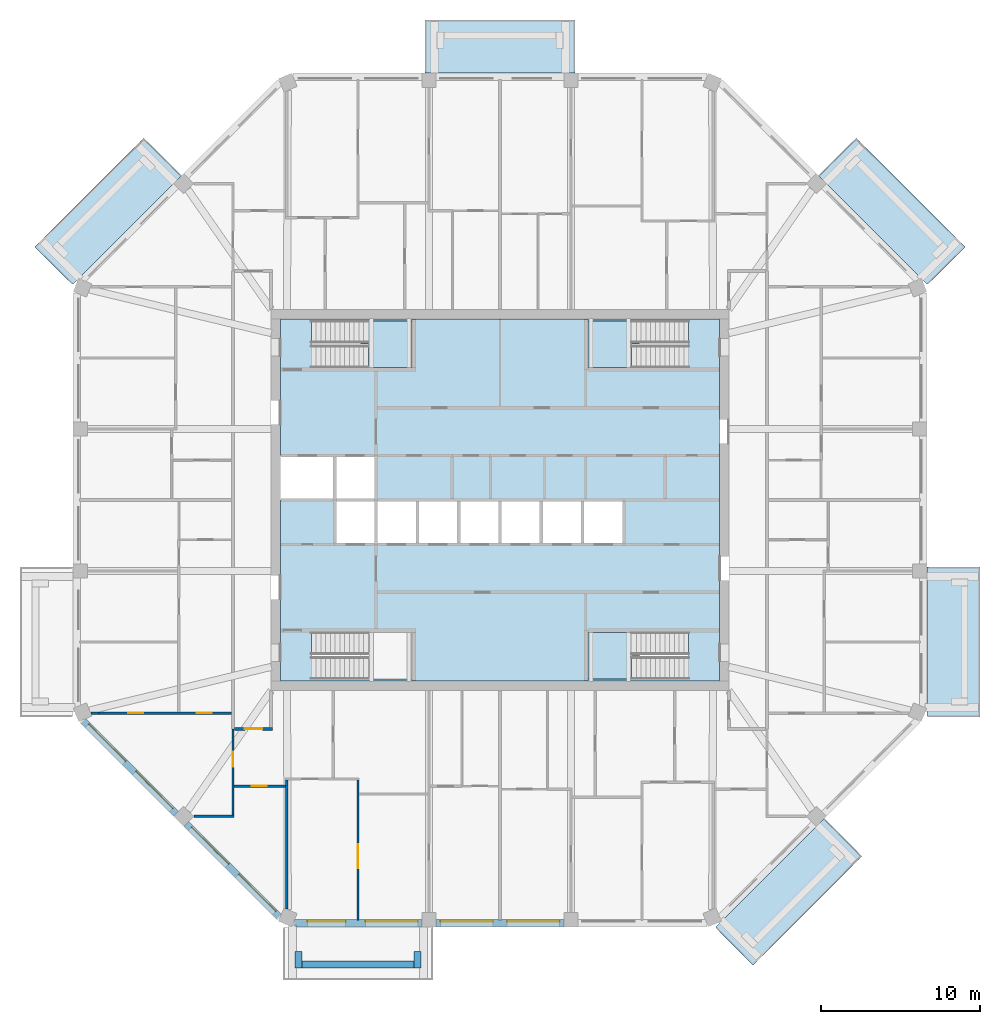
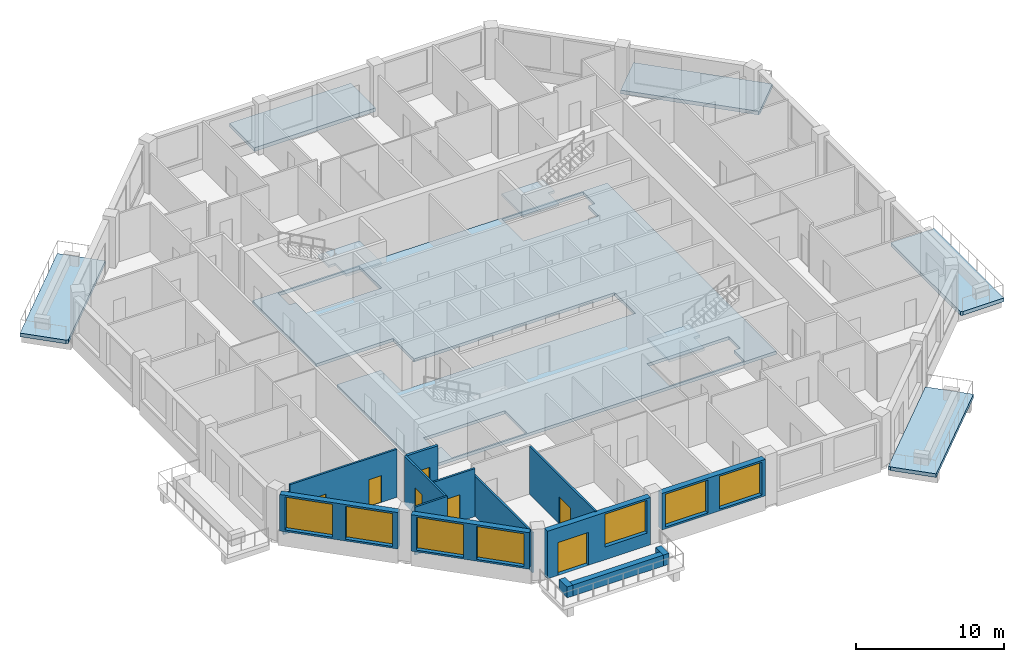
# One storey, part 2 of 11: 15 walls, 9 slabs, 7 doors, 7 windows, 14 openings, 3 elements without a shape of their own.
"""IFC4 building model written with IfcOpenShell, lengths in metres."""

from ifc_helpers import new_model, si_unit, direction, frame, frame_2d, origin, place, context, subcontext, project, spatial, polyline, rectangle, outline, extrude, material, layer, layer_set, type_object, element, fill, aggregate, save


model = new_model("IFC4")

# Units and contexts
model_context = context("Model", 3, precision=1e-05, world=origin(), true_north=direction((0.0, 1.0)))
body_context = subcontext(model_context, "Body", "Model", "MODEL_VIEW")
ifc_project = project(units=[si_unit("LENGTHUNIT", "METRE"), si_unit("AREAUNIT", "SQUARE_METRE"), si_unit("VOLUMEUNIT", "CUBIC_METRE"), si_unit("PLANEANGLEUNIT", "RADIAN"), si_unit("MASSUNIT", "GRAM", prefix="KILO")], contexts=[model_context])

# Site, building, storey
site_placement = place(None, origin())
site = spatial("IfcSite", under=ifc_project, at=site_placement, CompositionType="ELEMENT")
building_placement = place(site_placement, origin())
building = spatial("IfcBuilding", under=site, at=building_placement, Name="Msitu Wima Residences", CompositionType="ELEMENT")
storey_placement = place(building_placement, frame((0.0, 0.0, 230.699951171875)))
storey = spatial("IfcBuildingStorey", under=building, at=storey_placement, Name="L53", CompositionType="ELEMENT", Elevation=230.699951171875)

# Slabs
ifc_material_1 = material(Name="Concrete C40/50", Category="concrete")
ifc_layer_1 = layer(ifc_material_1, 0.300048828125)
ifc_layer_set_1 = layer_set([ifc_layer_1], Name="Concrete C40/50")
slab_type_1 = type_object("IfcSlabType", Name="Balcony slab BS300", PredefinedType="FLOOR", material=ifc_layer_set_1)
slab_1_placement = place(storey_placement, frame((0.0, 0.0, -0.300048828125)))
element("IfcSlab", 1, at=slab_1_placement, inside=storey, type_object=slab_type_1, Name="Balcony E0 L53", PredefinedType="FLOOR", context=body_context, shape_type="SweptSolid", body=[
    extrude(outline(polyline([(26.85009765625, -13.105224609375), (26.85009765625, -13.105224609375), (26.85009765625, -4.918701171875), (26.85009765625, -4.21875), (30.199951171875, -4.21875), (30.199951171875, -13.656005859375), (27.003662109375, -13.656005859375), (26.85009765625, -13.59228515625), (26.85009765625, -13.105224609375), (26.85009765625, -13.105224609375)])), origin(), (0.0, 0.0, 1.0), 0.300048828125),
])
slab_2_placement = place(storey_placement, frame((0.0, 0.0, -0.300048828125)))
element("IfcSlab", 2, at=slab_2_placement, inside=storey, type_object=slab_type_1, Name="Balcony NE0 L53", PredefinedType="FLOOR", context=body_context, shape_type="SweptSolid", body=[
    extrude(outline(polyline([(26.505615234375, 13.936767578125), (26.505615234375, 13.936767578125), (20.04443359375, 20.39794921875), (22.4130859375, 22.766845703125), (29.263671875, 15.916015625), (27.003662109375, 13.656005859375), (26.85009765625, 13.59228515625), (26.505615234375, 13.936767578125), (26.505615234375, 13.936767578125)])), origin(), (0.0, 0.0, 1.0), 0.300048828125),
])
slab_3_placement = place(storey_placement, frame((0.0, 0.0, -0.300048828125)))
element("IfcSlab", 3, at=slab_3_placement, inside=storey, type_object=slab_type_1, Name="Balcony N1 L53", PredefinedType="FLOOR", context=body_context, shape_type="SweptSolid", body=[
    extrude(outline(polyline([(4.0185546875, 26.85009765625), (-4.0185546875, 26.85009765625), (-4.71875, 26.85009765625), (-4.71875, 30.199951171875), (4.71875, 30.199951171875), (4.71875, 26.85009765625), (4.0185546875, 26.85009765625)])), origin(), (0.0, 0.0, 1.0), 0.300048828125),
])
slab_4_placement = place(storey_placement, frame((0.0, 0.0, -0.300048828125)))
element("IfcSlab", 4, at=slab_4_placement, inside=storey, type_object=slab_type_1, Name="Balcony NW1 L53", PredefinedType="FLOOR", context=body_context, shape_type="SweptSolid", body=[
    extrude(outline(polyline([(-26.505615234375, 13.936767578125), (-26.505615234375, 13.936767578125), (-26.85009765625, 13.59228515625), (-27.003662109375, 13.656005859375), (-29.263671875, 15.916015625), (-22.4130859375, 22.766845703125), (-20.04443359375, 20.39794921875), (-26.505615234375, 13.936767578125), (-26.505615234375, 13.936767578125)])), origin(), (0.0, 0.0, 1.0), 0.300048828125),
])
slab_5_placement = place(storey_placement, frame((0.0, 0.0, -0.300048828125)))
element("IfcSlab", 5, at=slab_5_placement, inside=storey, type_object=slab_type_1, Name="Balcony SE0 L53", PredefinedType="FLOOR", context=body_context, shape_type="SweptSolid", body=[
    extrude(outline(polyline([(13.936767578125, -26.505615234375), (13.936767578125, -26.505615234375), (20.39794921875, -20.04443359375), (22.766845703125, -22.4130859375), (15.916015625, -29.263671875), (13.656005859375, -27.003662109375), (13.59228515625, -26.85009765625), (13.936767578125, -26.505615234375), (13.936767578125, -26.505615234375)])), origin(), (0.0, 0.0, 1.0), 0.300048828125),
])
ifc_layer_2 = layer(ifc_material_1, 0.25)
ifc_layer_set_2 = layer_set([ifc_layer_2], Name="Concrete C40/50")
slab_type_2 = type_object("IfcSlabType", Name="Core floor CF250", PredefinedType="FLOOR", material=ifc_layer_set_2)
slab_6_placement = place(storey_placement, frame((0.0, 0.0, -0.25)))
element("IfcSlab", 6, at=slab_6_placement, inside=storey, type_object=slab_type_2, Name="Core floor", PredefinedType="FLOOR", context=body_context, shape_type="SweptSolid", body=[
    extrude(outline(polyline([(-13.800048828125, 11.39990234375), (-13.800048828125, 2.800048828125), (-10.39990234375, 2.800048828125), (-7.800048828125, 2.800048828125), (-7.800048828125, 0.0), (-5.199951171875, 0.0), (-2.60009765625, 0.0), (0.0, 0.0), (2.60009765625, 0.0), (5.199951171875, 0.0), (7.800048828125, 0.0), (7.800048828125, -2.800048828125), (5.199951171875, -2.800048828125), (2.60009765625, -2.800048828125), (0.0, -2.800048828125), (-2.60009765625, -2.800048828125), (-5.199951171875, -2.800048828125), (-7.800048828125, -2.800048828125), (-10.39990234375, -2.800048828125), (-10.39990234375, 0.0), (-13.800048828125, 0.0), (-13.800048828125, -11.39990234375), (13.800048828125, -11.39990234375), (13.800048828125, 11.39990234375), (-13.800048828125, 11.39990234375)]), holes=[polyline([(-11.375, -11.27490234375), (-11.375, -9.875), (-11.87451171875, -9.875), (-11.87451171875, -8.324951171875), (-5.52490234375, -8.324951171875), (-5.52490234375, -11.27490234375), (-11.375, -11.27490234375)]), polyline([(-11.375, 8.324951171875), (-11.375, 9.72509765625), (-11.87451171875, 9.72509765625), (-11.87451171875, 11.27490234375), (-5.52490234375, 11.27490234375), (-5.52490234375, 8.324951171875), (-11.375, 8.324951171875)]), polyline([(11.375, -9.875), (11.375, -11.27490234375), (5.52490234375, -11.27490234375), (5.52490234375, -8.324951171875), (11.87451171875, -8.324951171875), (11.87451171875, -9.875), (11.375, -9.875)]), polyline([(11.375, 9.72509765625), (11.375, 8.324951171875), (5.52490234375, 8.324951171875), (5.52490234375, 11.27490234375), (11.87451171875, 11.27490234375), (11.87451171875, 9.72509765625), (11.375, 9.72509765625)])]), origin(), (0.0, 0.0, 1.0), 0.25),
])

# Stair, slab
stair_type = type_object("IfcStairType", Name="Exit stair ES1615-140", PredefinedType="HALF_TURN_STAIR", material=ifc_material_1)
stair_1_placement = place(storey_placement, origin())
stair_1 = element("IfcStair", 7, at=stair_1_placement, inside=storey, type_object=stair_type, Name="Exit stair 1", PredefinedType="HALF_TURN_STAIR")
ifc_layer_3 = layer(ifc_material_1, 0.199951171875)
ifc_layer_set_3 = layer_set([ifc_layer_3], Name="Concrete C40/50")
slab_type_3 = type_object("IfcSlabType", Name="Stair landing SL200", PredefinedType="LANDING", material=ifc_layer_set_3)
slab_7_placement = place(storey_placement, frame((0.0, 0.0, 1.900146484375)))
slab_7 = element("IfcSlab", 8, at=slab_7_placement, type_object=slab_type_3, Name="S1 landing 1", PredefinedType="LANDING", context=body_context, shape_type="SweptSolid", body=[
    extrude(outline(polyline([(-5.52490234375, 8.324951171875), (-8.275390625, 8.324951171875), (-8.275390625, 9.800048828125), (-8.77490234375, 9.800048828125), (-8.77490234375, 11.27490234375), (-5.52490234375, 11.27490234375), (-5.52490234375, 8.324951171875)])), origin(), (0.0, 0.0, 1.0), 0.199951171875),
])
aggregate(stair_1, [slab_7])

stair_2_placement = place(storey_placement, origin())
stair_2 = element("IfcStair", 9, at=stair_2_placement, inside=storey, type_object=stair_type, Name="Exit stair 3", PredefinedType="HALF_TURN_STAIR")
slab_8_placement = place(storey_placement, frame((0.0, 0.0, 1.900146484375)))
slab_8 = element("IfcSlab", 10, at=slab_8_placement, type_object=slab_type_3, Name="S3 landing 1", PredefinedType="LANDING", context=body_context, shape_type="SweptSolid", body=[
    extrude(outline(polyline([(5.52490234375, 8.324951171875), (8.275390625, 8.324951171875), (8.275390625, 9.800048828125), (8.77490234375, 9.800048828125), (8.77490234375, 11.27490234375), (5.52490234375, 11.27490234375), (5.52490234375, 8.324951171875)])), origin(), (0.0, 0.0, 1.0), 0.199951171875),
])
aggregate(stair_2, [slab_8])

stair_3_placement = place(storey_placement, origin())
stair_3 = element("IfcStair", 11, at=stair_3_placement, inside=storey, type_object=stair_type, Name="Exit stair 4", PredefinedType="HALF_TURN_STAIR")
slab_9_placement = place(storey_placement, frame((0.0, 0.0, 1.900146484375)))
slab_9 = element("IfcSlab", 12, at=slab_9_placement, type_object=slab_type_3, Name="S4 landing 1", PredefinedType="LANDING", context=body_context, shape_type="SweptSolid", body=[
    extrude(outline(polyline([(5.52490234375, -11.27490234375), (8.275390625, -11.27490234375), (8.275390625, -9.800048828125), (8.77490234375, -9.800048828125), (8.77490234375, -8.324951171875), (5.52490234375, -8.324951171875), (5.52490234375, -11.27490234375)])), origin(), (0.0, 0.0, 1.0), 0.199951171875),
])
aggregate(stair_3, [slab_9])

# Walls
ifc_material_2 = material(Name="Facing brick")
ifc_layer_4 = layer(ifc_material_2, 0.06494140625, Name="Facing brick")
ifc_layer_5 = layer(ifc_material_1, 0.156005859375, Name="Concrete C40/50")
ifc_material_3 = material(Name="Waterproofing membrane")
ifc_layer_6 = layer(ifc_material_3, 0.00390625, Name="Waterproofing membrane")
ifc_material_4 = material(Name="Planting soil and planting")
ifc_layer_7 = layer(ifc_material_4, 0.22509765625, Name="Planting soil and planting")
ifc_layer_set_4 = layer_set([ifc_layer_4, ifc_layer_5, ifc_layer_6, ifc_layer_7], Name="Concrete C40/50")
wall_type_1 = type_object("IfcWallType", Name="Balcony planter PLANTER PL450", PredefinedType="USERDEFINED", material=ifc_layer_set_4)
wall_1_placement = place(storey_placement, frame((-12.455810546875, -29.22509765625, 0.0), z_axis=(0.0, 0.0, 1.0), x_axis=(1.0, 0.0, 0.0)))
element("IfcWall", 13, at=wall_1_placement, inside=storey, type_object=wall_type_1, Name="Balcony planter S0 L53", ObjectType="PLANTER", PredefinedType="USERDEFINED", context=body_context, shape_type="SweptSolid", body=[
    extrude(rectangle(XDim=7.037109375, YDim=0.449951171875, at=frame_2d((3.5185546875, 0.0))), origin(), (0.0, 0.0, 1.0), 0.900146484375),
])
for number, where, z_axis, x_axis, name in (
    (14, (-12.680908203125, -28.39990234375, 0.0), (0.0, 0.0, 1.0), (0.0, -1.0, 0.0), "Balcony planter S0 L53"),
    (15, (-5.193603515625, -28.39990234375, 0.0), (0.0, 0.0, 1.0), (0.0, -1.0, 0.0), "Balcony planter S0 L53"),
):
    element("IfcWall", number, at=place(storey_placement, frame(where, z_axis=z_axis, x_axis=x_axis)), inside=storey, type_object=wall_type_1, Name=name, ObjectType="PLANTER", PredefinedType="USERDEFINED", context=body_context, shape_type="SweptSolid", body=[
        extrude(rectangle(XDim=1.050048828125, YDim=0.449951171875, at=frame_2d((0.52490234375, 0.0))), origin(), (0.0, 0.0, 1.0), 0.900146484375),
    ])

# Wall, openings, windows
ifc_material_5 = material(Name="Brick (red buff mix)", Category="masonry")
ifc_layer_8 = layer(ifc_material_5, 0.449951171875)
ifc_layer_set_5 = layer_set([ifc_layer_8], Name="Brick (red buff mix)")
wall_type_2 = type_object("IfcWallType", Name="Brick infill wall BW450", PredefinedType="SOLIDWALL", material=ifc_layer_set_5)
wall_2_placement = place(storey_placement, frame((-26.214599609375, -13.909423828125, 0.900146484375), z_axis=(0.0, 0.0, 1.0), x_axis=(0.707106781187, -0.707106781187, 0.0)))
wall_2 = element("IfcWall", 16, at=wall_2_placement, inside=storey, type_object=wall_type_2, Name="Brick infill wall L53 SW0", PredefinedType="SOLIDWALL", context=body_context, shape_type="SweptSolid", body=[
    extrude(rectangle(XDim=8.251220703125, YDim=0.449951171875, at=frame_2d((4.12548828125, 0.0))), origin(), (0.0, 0.0, 1.0), 3.0),
])
opening_1_placement = place(wall_2_placement, frame((0.37548828125, 0.0, 0.14990234375)))
opening_1 = element("IfcOpeningElement", 17, at=opening_1_placement, cuts=wall_2, Name="Opening W52-54.025", PredefinedType="OPENING", context=body_context, shape_type="SweptSolid", body=[
    extrude(rectangle(XDim=3.300048828125, YDim=2.699951171875, at=frame_2d((1.64990234375, 1.35009765625))), frame((0.0, 0.23486328125, 0.0), z_axis=(0.0, -1.0, 0.0), x_axis=(1.0, 0.0, 0.0)), (0.0, 0.0, 1.0), 0.469970703125),
])
opening_2_placement = place(wall_2_placement, frame((4.57568359375, 0.0, 0.14990234375)))
opening_2 = element("IfcOpeningElement", 18, at=opening_2_placement, cuts=wall_2, Name="Opening W52-54.026", PredefinedType="OPENING", context=body_context, shape_type="SweptSolid", body=[
    extrude(rectangle(XDim=3.300048828125, YDim=2.699951171875, at=frame_2d((1.64990234375, 1.35009765625))), frame((0.0, 0.23486328125, 0.0), z_axis=(0.0, -1.0, 0.0), x_axis=(1.0, 0.0, 0.0)), (0.0, 0.0, 1.0), 0.469970703125),
])
ifc_material_6 = material(Name="Anodised aluminium, bronze finish, clear low-emissivity double glazing", Category="aluminium")
window_type = type_object("IfcWindowType", Name="Window W3300x2700", PartitioningType="DOUBLE_PANEL_VERTICAL", PredefinedType="WINDOW", material=ifc_material_6)
window_1_placement = place(opening_1_placement, origin())
window_1 = element("IfcWindow", 19, at=window_1_placement, inside=storey, type_object=window_type, Name="Window L53 SW0.1", OverallHeight=2.699951171875, OverallWidth=3.300048828125, PartitioningType="SINGLE_PANEL", PredefinedType="WINDOW", context=body_context, shape_type="SweptSolid", body=[
    extrude(rectangle(XDim=3.300048828125, YDim=2.699951171875, at=frame_2d((1.64990234375, 1.35009765625))), frame((0.0, 0.135009765625, 0.0), z_axis=(0.0, -1.0, 0.0), x_axis=(1.0, 0.0, 0.0)), (0.0, 0.0, 1.0), 0.06005859375),
])
fill(opening_1, window_1)
window_2_placement = place(opening_2_placement, origin())
window_2 = element("IfcWindow", 20, at=window_2_placement, inside=storey, type_object=window_type, Name="Window L53 SW0.2", OverallHeight=2.699951171875, OverallWidth=3.300048828125, PartitioningType="SINGLE_PANEL", PredefinedType="WINDOW", context=body_context, shape_type="SweptSolid", body=[
    extrude(rectangle(XDim=3.300048828125, YDim=2.699951171875, at=frame_2d((1.64990234375, 1.35009765625))), frame((0.0, 0.135009765625, 0.0), z_axis=(0.0, -1.0, 0.0), x_axis=(1.0, 0.0, 0.0)), (0.0, 0.0, 1.0), 0.06005859375),
])
fill(opening_2, window_2)

wall_3_placement = place(storey_placement, frame((-19.743896484375, -20.380126953125, 0.900146484375), z_axis=(0.0, 0.0, 1.0), x_axis=(0.707106781187, -0.707106781187, 0.0)))
wall_3 = element("IfcWall", 21, at=wall_3_placement, inside=storey, type_object=wall_type_2, Name="Brick infill wall L53 SW1", PredefinedType="SOLIDWALL", context=body_context, shape_type="SweptSolid", body=[
    extrude(rectangle(XDim=8.251220703125, YDim=0.449951171875, at=frame_2d((4.12548828125, 0.0))), origin(), (0.0, 0.0, 1.0), 3.0),
])
opening_3_placement = place(wall_3_placement, frame((0.37548828125, 0.0, 0.14990234375)))
opening_3 = element("IfcOpeningElement", 22, at=opening_3_placement, cuts=wall_3, Name="Opening W52-54.027", PredefinedType="OPENING", context=body_context, shape_type="SweptSolid", body=[
    extrude(rectangle(XDim=3.300048828125, YDim=2.699951171875, at=frame_2d((1.64990234375, 1.35009765625))), frame((0.0, 0.23486328125, 0.0), z_axis=(0.0, -1.0, 0.0), x_axis=(1.0, 0.0, 0.0)), (0.0, 0.0, 1.0), 0.469970703125),
])
opening_4_placement = place(wall_3_placement, frame((4.57568359375, 0.0, 0.14990234375)))
opening_4 = element("IfcOpeningElement", 23, at=opening_4_placement, cuts=wall_3, Name="Opening W52-54.028", PredefinedType="OPENING", context=body_context, shape_type="SweptSolid", body=[
    extrude(rectangle(XDim=3.300048828125, YDim=2.699951171875, at=frame_2d((1.64990234375, 1.35009765625))), frame((0.0, 0.23486328125, 0.0), z_axis=(0.0, -1.0, 0.0), x_axis=(1.0, 0.0, 0.0)), (0.0, 0.0, 1.0), 0.469970703125),
])
window_3_placement = place(opening_3_placement, origin())
window_3 = element("IfcWindow", 24, at=window_3_placement, inside=storey, type_object=window_type, Name="Window L53 SW1.1", OverallHeight=2.699951171875, OverallWidth=3.300048828125, PartitioningType="SINGLE_PANEL", PredefinedType="WINDOW", context=body_context, shape_type="SweptSolid", body=[
    extrude(rectangle(XDim=3.300048828125, YDim=2.699951171875, at=frame_2d((1.64990234375, 1.35009765625))), frame((0.0, 0.135009765625, 0.0), z_axis=(0.0, -1.0, 0.0), x_axis=(1.0, 0.0, 0.0)), (0.0, 0.0, 1.0), 0.06005859375),
])
fill(opening_3, window_3)
window_4_placement = place(opening_4_placement, origin())
window_4 = element("IfcWindow", 25, at=window_4_placement, inside=storey, type_object=window_type, Name="Window L53 SW1.2", OverallHeight=2.699951171875, OverallWidth=3.300048828125, PartitioningType="SINGLE_PANEL", PredefinedType="WINDOW", context=body_context, shape_type="SweptSolid", body=[
    extrude(rectangle(XDim=3.300048828125, YDim=2.699951171875, at=frame_2d((1.64990234375, 1.35009765625))), frame((0.0, 0.135009765625, 0.0), z_axis=(0.0, -1.0, 0.0), x_axis=(1.0, 0.0, 0.0)), (0.0, 0.0, 1.0), 0.06005859375),
])
fill(opening_4, window_4)

# Wall, openings, door, window
wall_4_placement = place(storey_placement, frame((-12.918701171875, -26.625, 0.0), z_axis=(0.0, 0.0, 1.0), x_axis=(1.0, 0.0, 0.0)))
wall_4 = element("IfcWall", 26, at=wall_4_placement, inside=storey, type_object=wall_type_2, Name="Brick infill wall L53 S0", PredefinedType="SOLIDWALL", context=body_context, shape_type="SweptSolid", body=[
    extrude(rectangle(XDim=8.0, YDim=0.449951171875, at=frame_2d((4.0, 0.0))), origin(), (0.0, 0.0, 1.0), 3.900146484375),
])
opening_5_placement = place(wall_4_placement, frame((0.800048828125, 0.0, 0.0)))
opening_5 = element("IfcOpeningElement", 27, at=opening_5_placement, cuts=wall_4, Name="Opening D52-54.005", PredefinedType="OPENING", context=body_context, shape_type="SweptSolid", body=[
    extrude(rectangle(XDim=2.39990234375, YDim=2.699951171875, at=frame_2d((1.199951171875, 1.35009765625))), frame((0.0, 0.23486328125, 0.0), z_axis=(0.0, -1.0, 0.0), x_axis=(1.0, 0.0, 0.0)), (0.0, 0.0, 1.0), 0.469970703125),
])
opening_6_placement = place(wall_4_placement, frame((4.4501953125, 0.0, 1.050048828125)))
opening_6 = element("IfcOpeningElement", 28, at=opening_6_placement, cuts=wall_4, Name="Opening W52-54.017", PredefinedType="OPENING", context=body_context, shape_type="SweptSolid", body=[
    extrude(rectangle(XDim=3.300048828125, YDim=2.699951171875, at=frame_2d((1.64990234375, 1.35009765625))), frame((0.0, 0.23486328125, 0.0), z_axis=(0.0, -1.0, 0.0), x_axis=(1.0, 0.0, 0.0)), (0.0, 0.0, 1.0), 0.469970703125),
])
door_type_1 = type_object("IfcDoorType", Name="Balcony door D2400x2700", OperationType="SLIDING_TO_LEFT", PredefinedType="DOOR", material=ifc_material_6)
door_1_placement = place(opening_5_placement, origin())
door_1 = element("IfcDoor", 29, at=door_1_placement, inside=storey, type_object=door_type_1, Name="Balcony door L53 S0", OperationType="SINGLE_SWING_LEFT", OverallHeight=2.699951171875, OverallWidth=2.39990234375, PredefinedType="DOOR", context=body_context, shape_type="SweptSolid", body=[
    extrude(rectangle(XDim=2.39990234375, YDim=2.699951171875, at=frame_2d((1.199951171875, 1.35009765625))), frame((0.0, 0.1298828125, 0.0), z_axis=(0.0, -1.0, 0.0), x_axis=(1.0, 0.0, 0.0)), (0.0, 0.0, 1.0), 0.050048828125),
])
fill(opening_5, door_1)
window_5_placement = place(opening_6_placement, origin())
window_5 = element("IfcWindow", 30, at=window_5_placement, inside=storey, type_object=window_type, Name="Window L53 S0.2", OverallHeight=2.699951171875, OverallWidth=3.300048828125, PartitioningType="SINGLE_PANEL", PredefinedType="WINDOW", context=body_context, shape_type="SweptSolid", body=[
    extrude(rectangle(XDim=3.300048828125, YDim=2.699951171875, at=frame_2d((1.64990234375, 1.35009765625))), frame((0.0, 0.135009765625, 0.0), z_axis=(0.0, -1.0, 0.0), x_axis=(1.0, 0.0, 0.0)), (0.0, 0.0, 1.0), 0.06005859375),
])
fill(opening_6, window_5)

# Wall, openings, windows
wall_5_placement = place(storey_placement, frame((-4.0185546875, -26.625, 0.900146484375), z_axis=(0.0, 0.0, 1.0), x_axis=(1.0, 0.0, 0.0)))
wall_5 = element("IfcWall", 31, at=wall_5_placement, inside=storey, type_object=wall_type_2, Name="Brick infill wall L53 S1", PredefinedType="SOLIDWALL", context=body_context, shape_type="SweptSolid", body=[
    extrude(rectangle(XDim=8.037109375, YDim=0.449951171875, at=frame_2d((4.0185546875, 0.0))), origin(), (0.0, 0.0, 1.0), 3.0),
])
opening_7_placement = place(wall_5_placement, frame((0.2685546875, 0.0, 0.14990234375)))
opening_7 = element("IfcOpeningElement", 32, at=opening_7_placement, cuts=wall_5, Name="Opening W52-54.018", PredefinedType="OPENING", context=body_context, shape_type="SweptSolid", body=[
    extrude(rectangle(XDim=3.300048828125, YDim=2.699951171875, at=frame_2d((1.64990234375, 1.35009765625))), frame((0.0, 0.23486328125, 0.0), z_axis=(0.0, -1.0, 0.0), x_axis=(1.0, 0.0, 0.0)), (0.0, 0.0, 1.0), 0.469970703125),
])
opening_8_placement = place(wall_5_placement, frame((4.46875, 0.0, 0.14990234375)))
opening_8 = element("IfcOpeningElement", 33, at=opening_8_placement, cuts=wall_5, Name="Opening W52-54.019", PredefinedType="OPENING", context=body_context, shape_type="SweptSolid", body=[
    extrude(rectangle(XDim=3.300048828125, YDim=2.699951171875, at=frame_2d((1.64990234375, 1.35009765625))), frame((0.0, 0.23486328125, 0.0), z_axis=(0.0, -1.0, 0.0), x_axis=(1.0, 0.0, 0.0)), (0.0, 0.0, 1.0), 0.469970703125),
])
window_6_placement = place(opening_7_placement, origin())
window_6 = element("IfcWindow", 34, at=window_6_placement, inside=storey, type_object=window_type, Name="Window L53 S1.1", OverallHeight=2.699951171875, OverallWidth=3.300048828125, PartitioningType="SINGLE_PANEL", PredefinedType="WINDOW", context=body_context, shape_type="SweptSolid", body=[
    extrude(rectangle(XDim=3.300048828125, YDim=2.699951171875, at=frame_2d((1.64990234375, 1.35009765625))), frame((0.0, 0.135009765625, 0.0), z_axis=(0.0, -1.0, 0.0), x_axis=(1.0, 0.0, 0.0)), (0.0, 0.0, 1.0), 0.06005859375),
])
fill(opening_7, window_6)
window_7_placement = place(opening_8_placement, origin())
window_7 = element("IfcWindow", 35, at=window_7_placement, inside=storey, type_object=window_type, Name="Window L53 S1.2", OverallHeight=2.699951171875, OverallWidth=3.300048828125, PartitioningType="SINGLE_PANEL", PredefinedType="WINDOW", context=body_context, shape_type="SweptSolid", body=[
    extrude(rectangle(XDim=3.300048828125, YDim=2.699951171875, at=frame_2d((1.64990234375, 1.35009765625))), frame((0.0, 0.135009765625, 0.0), z_axis=(0.0, -1.0, 0.0), x_axis=(1.0, 0.0, 0.0)), (0.0, 0.0, 1.0), 0.06005859375),
])
fill(opening_8, window_7)

# Wall, opening, door
ifc_material_7 = material(Name="Plaster")
ifc_layer_9 = layer(ifc_material_7, 0.011962890625, Name="Plaster")
ifc_material_8 = material(Name="Concrete blockwork", Category="masonry")
ifc_layer_10 = layer(ifc_material_8, 0.176025390625, Name="Concrete blockwork")
ifc_layer_11 = layer(ifc_material_7, 0.011962890625, Name="Plaster")
ifc_layer_set_6 = layer_set([ifc_layer_9, ifc_layer_10, ifc_layer_11], Name="Concrete blockwork")
wall_type_3 = type_object("IfcWallType", Name="Corridor wall FW200", PredefinedType="PARTITIONING", material=ifc_layer_set_6)
wall_6_placement = place(storey_placement, frame((-16.699951171875, -14.39990234375, 0.0), z_axis=(0.0, 0.0, 1.0), x_axis=(1.0, 0.0, 0.0)))
wall_6 = element("IfcWall", 36, at=wall_6_placement, inside=storey, type_object=wall_type_3, Name="Corridor wall", PredefinedType="PARTITIONING", context=body_context, shape_type="SweptSolid", body=[
    extrude(rectangle(XDim=2.39990234375, YDim=0.199951171875, at=frame_2d((1.199951171875, 0.0))), origin(), (0.0, 0.0, 1.0), 3.949951171875),
])
opening_9_placement = place(wall_6_placement, frame((0.64990234375, 0.0, 0.0)))
opening_9 = element("IfcOpeningElement", 37, at=opening_9_placement, cuts=wall_6, Name="Opening D52-54.037", PredefinedType="OPENING", context=body_context, shape_type="SweptSolid", body=[
    extrude(rectangle(XDim=1.10009765625, YDim=2.39990234375, at=frame_2d((0.550048828125, 1.199951171875))), frame((0.0, 0.10986328125, 0.0), z_axis=(0.0, -1.0, 0.0), x_axis=(1.0, 0.0, 0.0)), (0.0, 0.0, 1.0), 0.219970703125),
])
ifc_material_9 = material(Name="Timber flush door, fire resisting, self-closing", Category="wood")
door_type_2 = type_object("IfcDoorType", Name="Flat entrance door D01 1100x2400", OperationType="SINGLE_SWING_LEFT", PredefinedType="DOOR", material=ifc_material_9)
door_2_placement = place(opening_9_placement, origin())
door_2 = element("IfcDoor", 38, at=door_2_placement, inside=storey, type_object=door_type_2, Name="Flat entrance door", OperationType="SINGLE_SWING_RIGHT", OverallHeight=2.39990234375, OverallWidth=1.10009765625, PredefinedType="DOOR", context=body_context, shape_type="SweptSolid", body=[
    extrude(rectangle(XDim=1.10009765625, YDim=2.39990234375, at=frame_2d((0.550048828125, 1.199951171875))), frame((0.0, 0.02490234375, 0.0), z_axis=(0.0, -1.0, 0.0), x_axis=(1.0, 0.0, 0.0)), (0.0, 0.0, 1.0), 0.050048828125),
])
fill(opening_9, door_2)

# Wall
ifc_layer_12 = layer(ifc_material_7, 0.011962890625, Name="Plaster")
ifc_layer_13 = layer(ifc_material_8, 0.1259765625, Name="Concrete blockwork")
ifc_layer_14 = layer(ifc_material_7, 0.011962890625, Name="Plaster")
ifc_layer_set_7 = layer_set([ifc_layer_12, ifc_layer_13, ifc_layer_14], Name="Concrete blockwork")
wall_type_4 = type_object("IfcWallType", Name="Partition PW150", PredefinedType="PARTITIONING", material=ifc_layer_set_7)
wall_7_placement = place(storey_placement, frame((-25.731201171875, -13.406005859375, 0.0), z_axis=(0.0, 0.0, 1.0), x_axis=(1.0, 0.0, 0.0)))
element("IfcWall", 39, at=wall_7_placement, inside=storey, type_object=wall_type_4, Name="Partition", PredefinedType="PARTITIONING", context=body_context, shape_type="SweptSolid", body=[
    extrude(rectangle(XDim=0.507080078125, YDim=0.14990234375, at=frame_2d((0.25341796875, 0.0))), origin(), (0.0, 0.0, 1.0), 3.35009765625),
])

# Wall, openings, doors
wall_8_placement = place(storey_placement, frame((-25.22412109375, -13.406005859375, 0.0), z_axis=(0.0, 0.0, 1.0), x_axis=(1.0, 0.0, 0.0)))
wall_8 = element("IfcWall", 40, at=wall_8_placement, inside=storey, type_object=wall_type_4, Name="Partition", PredefinedType="PARTITIONING", context=body_context, shape_type="SweptSolid", body=[
    extrude(rectangle(XDim=8.32421875, YDim=0.14990234375, at=frame_2d((4.162109375, 0.0))), origin(), (0.0, 0.0, 1.0), 3.949951171875),
])
opening_10_placement = place(wall_8_placement, frame((6.142822265625, 0.0, 0.0)))
opening_10 = element("IfcOpeningElement", 41, at=opening_10_placement, cuts=wall_8, Name="Opening D52-54.047", PredefinedType="OPENING", context=body_context, shape_type="SweptSolid", body=[
    extrude(rectangle(XDim=0.949951171875, YDim=2.199951171875, at=frame_2d((0.47509765625, 1.10009765625))), frame((0.0, 0.0849609375, 0.0), z_axis=(0.0, -1.0, 0.0), x_axis=(1.0, 0.0, 0.0)), (0.0, 0.0, 1.0), 0.169921875),
])
opening_11_placement = place(wall_8_placement, frame((1.8427734375, 0.0, 0.0)))
opening_11 = element("IfcOpeningElement", 42, at=opening_11_placement, cuts=wall_8, Name="Opening D52-54.050", PredefinedType="OPENING", context=body_context, shape_type="SweptSolid", body=[
    extrude(rectangle(XDim=0.949951171875, YDim=2.199951171875, at=frame_2d((0.47509765625, 1.10009765625))), frame((0.0, 0.0849609375, 0.0), z_axis=(0.0, -1.0, 0.0), x_axis=(1.0, 0.0, 0.0)), (0.0, 0.0, 1.0), 0.169921875),
])
ifc_material_10 = material(Name="Timber flush door", Category="wood")
door_type_3 = type_object("IfcDoorType", Name="Room door D12 950x2200", OperationType="SINGLE_SWING_LEFT", PredefinedType="DOOR", material=ifc_material_10)
door_3_placement = place(opening_10_placement, origin())
door_3 = element("IfcDoor", 43, at=door_3_placement, inside=storey, type_object=door_type_3, Name="Room door", OperationType="SINGLE_SWING_LEFT", OverallHeight=2.199951171875, OverallWidth=0.949951171875, PredefinedType="DOOR", context=body_context, shape_type="SweptSolid", body=[
    extrude(rectangle(XDim=0.949951171875, YDim=2.199951171875, at=frame_2d((0.47509765625, 1.10009765625))), frame((0.0, 0.02490234375, 0.0), z_axis=(0.0, -1.0, 0.0), x_axis=(1.0, 0.0, 0.0)), (0.0, 0.0, 1.0), 0.050048828125),
])
fill(opening_10, door_3)
door_4_placement = place(opening_11_placement, origin())
door_4 = element("IfcDoor", 44, at=door_4_placement, inside=storey, type_object=door_type_3, Name="Room door", OperationType="SINGLE_SWING_RIGHT", OverallHeight=2.199951171875, OverallWidth=0.949951171875, PredefinedType="DOOR", context=body_context, shape_type="SweptSolid", body=[
    extrude(rectangle(XDim=0.949951171875, YDim=2.199951171875, at=frame_2d((0.47509765625, 1.10009765625))), frame((0.0, 0.02490234375, 0.0), z_axis=(0.0, -1.0, 0.0), x_axis=(1.0, 0.0, 0.0)), (0.0, 0.0, 1.0), 0.050048828125),
])
fill(opening_11, door_4)

# Wall
wall_9_placement = place(storey_placement, frame((-19.2666015625, -19.90283203125, 0.0), z_axis=(0.0, 0.0, 1.0), x_axis=(1.0, 0.0, 0.0)))
element("IfcWall", 45, at=wall_9_placement, inside=storey, type_object=wall_type_4, Name="Partition", PredefinedType="PARTITIONING", context=body_context, shape_type="SweptSolid", body=[
    extrude(rectangle(XDim=2.54150390625, YDim=0.14990234375, at=frame_2d((1.270751953125, 0.0))), origin(), (0.0, 0.0, 1.0), 3.949951171875),
])

# Wall, opening, door
wall_10_placement = place(storey_placement, frame((-16.800048828125, -19.827880859375, 0.0), z_axis=(0.0, 0.0, 1.0), x_axis=(0.0, 1.0, 0.0)))
wall_10 = element("IfcWall", 46, at=wall_10_placement, inside=storey, type_object=wall_type_4, Name="Partition", PredefinedType="PARTITIONING", context=body_context, shape_type="SweptSolid", body=[
    extrude(rectangle(XDim=5.427978515625, YDim=0.14990234375, at=frame_2d((2.7138671875, 0.0))), origin(), (0.0, 0.0, 1.0), 3.949951171875),
])
opening_12_placement = place(wall_10_placement, frame((3.050048828125, 0.0, 0.0)))
opening_12 = element("IfcOpeningElement", 47, at=opening_12_placement, cuts=wall_10, Name="Opening D52-54.045", PredefinedType="OPENING", context=body_context, shape_type="SweptSolid", body=[
    extrude(rectangle(XDim=0.949951171875, YDim=2.199951171875, at=frame_2d((0.47509765625, 1.10009765625))), frame((0.0, 0.0849609375, 0.0), z_axis=(0.0, -1.0, 0.0), x_axis=(1.0, 0.0, 0.0)), (0.0, 0.0, 1.0), 0.169921875),
])
door_5_placement = place(opening_12_placement, origin())
door_5 = element("IfcDoor", 48, at=door_5_placement, inside=storey, type_object=door_type_3, Name="Room door", OperationType="SINGLE_SWING_RIGHT", OverallHeight=2.199951171875, OverallWidth=0.949951171875, PredefinedType="DOOR", context=body_context, shape_type="SweptSolid", body=[
    extrude(rectangle(XDim=0.949951171875, YDim=2.199951171875, at=frame_2d((0.47509765625, 1.10009765625))), frame((0.0, 0.02490234375, 0.0), z_axis=(0.0, -1.0, 0.0), x_axis=(1.0, 0.0, 0.0)), (0.0, 0.0, 1.0), 0.050048828125),
])
fill(opening_12, door_5)

wall_11_placement = place(storey_placement, frame((-16.72509765625, -18.0, 0.0), z_axis=(0.0, 0.0, 1.0), x_axis=(1.0, 0.0, 0.0)))
wall_11 = element("IfcWall", 49, at=wall_11_placement, inside=storey, type_object=wall_type_4, Name="Partition", PredefinedType="PARTITIONING", context=body_context, shape_type="SweptSolid", body=[
    extrude(rectangle(XDim=3.244140625, YDim=0.14990234375, at=frame_2d((1.6220703125, 0.0))), origin(), (0.0, 0.0, 1.0), 3.949951171875),
])
opening_13_placement = place(wall_11_placement, frame((1.10009765625, 0.0, 0.0)))
opening_13 = element("IfcOpeningElement", 50, at=opening_13_placement, cuts=wall_11, Name="Opening D52-54.044", PredefinedType="OPENING", context=body_context, shape_type="SweptSolid", body=[
    extrude(rectangle(XDim=0.949951171875, YDim=2.199951171875, at=frame_2d((0.47509765625, 1.10009765625))), frame((0.0, 0.0849609375, 0.0), z_axis=(0.0, -1.0, 0.0), x_axis=(1.0, 0.0, 0.0)), (0.0, 0.0, 1.0), 0.169921875),
])
door_6_placement = place(opening_13_placement, origin())
door_6 = element("IfcDoor", 51, at=door_6_placement, inside=storey, type_object=door_type_3, Name="Room door", OperationType="SINGLE_SWING_RIGHT", OverallHeight=2.199951171875, OverallWidth=0.949951171875, PredefinedType="DOOR", context=body_context, shape_type="SweptSolid", body=[
    extrude(rectangle(XDim=0.949951171875, YDim=2.199951171875, at=frame_2d((0.47509765625, 1.10009765625))), frame((0.0, 0.02490234375, 0.0), z_axis=(0.0, -1.0, 0.0), x_axis=(1.0, 0.0, 0.0)), (0.0, 0.0, 1.0), 0.050048828125),
])
fill(opening_13, door_6)

# Wall
wall_12_placement = place(storey_placement, frame((-13.406005859375, -25.731201171875, 0.0), z_axis=(0.0, 0.0, 1.0), x_axis=(0.0, 1.0, 0.0)))
element("IfcWall", 52, at=wall_12_placement, inside=storey, type_object=wall_type_4, Name="Partition", PredefinedType="PARTITIONING", context=body_context, shape_type="SweptSolid", body=[
    extrude(rectangle(XDim=8.106201171875, YDim=0.14990234375, at=frame_2d((4.05322265625, 0.0))), origin(), (0.0, 0.0, 1.0), 3.300048828125),
])

# Wall, opening, door
wall_13_placement = place(storey_placement, frame((-8.937255859375, -26.455078125, 0.0), z_axis=(0.0, 0.0, 1.0), x_axis=(0.0, 1.0, 0.0)))
wall_13 = element("IfcWall", 53, at=wall_13_placement, inside=storey, type_object=wall_type_4, Name="Partition", PredefinedType="PARTITIONING", context=body_context, shape_type="SweptSolid", body=[
    extrude(rectangle(XDim=8.830078125, YDim=0.14990234375, at=frame_2d((4.4150390625, 0.0))), origin(), (0.0, 0.0, 1.0), 3.949951171875),
])
opening_14_placement = place(wall_13_placement, frame((3.300048828125, 0.0, 0.0)))
opening_14 = element("IfcOpeningElement", 54, at=opening_14_placement, cuts=wall_13, Name="Opening D52-54.046", PredefinedType="OPENING", context=body_context, shape_type="SweptSolid", body=[
    extrude(rectangle(XDim=1.5, YDim=2.199951171875, at=frame_2d((0.75, 1.10009765625))), frame((0.0, 0.0849609375, 0.0), z_axis=(0.0, -1.0, 0.0), x_axis=(1.0, 0.0, 0.0)), (0.0, 0.0, 1.0), 0.169921875),
])
ifc_material_11 = material(Name="Timber double door", Category="wood")
door_type_4 = type_object("IfcDoorType", Name="Double door D04 1500x2200", OperationType="DOUBLE_DOOR_SINGLE_SWING", PredefinedType="DOOR", material=ifc_material_11)
door_7_placement = place(opening_14_placement, origin())
door_7 = element("IfcDoor", 55, at=door_7_placement, inside=storey, type_object=door_type_4, Name="Double door", OperationType="DOUBLE_DOOR_SINGLE_SWING", OverallHeight=2.199951171875, OverallWidth=1.5, PredefinedType="DOOR", context=body_context, shape_type="SweptSolid", body=[
    extrude(rectangle(XDim=1.5, YDim=2.199951171875, at=frame_2d((0.75, 1.10009765625))), frame((0.0, 0.02490234375, 0.0), z_axis=(0.0, -1.0, 0.0), x_axis=(1.0, 0.0, 0.0)), (0.0, 0.0, 1.0), 0.050048828125),
])
fill(opening_14, door_7)

save(model, "model.ifc")
